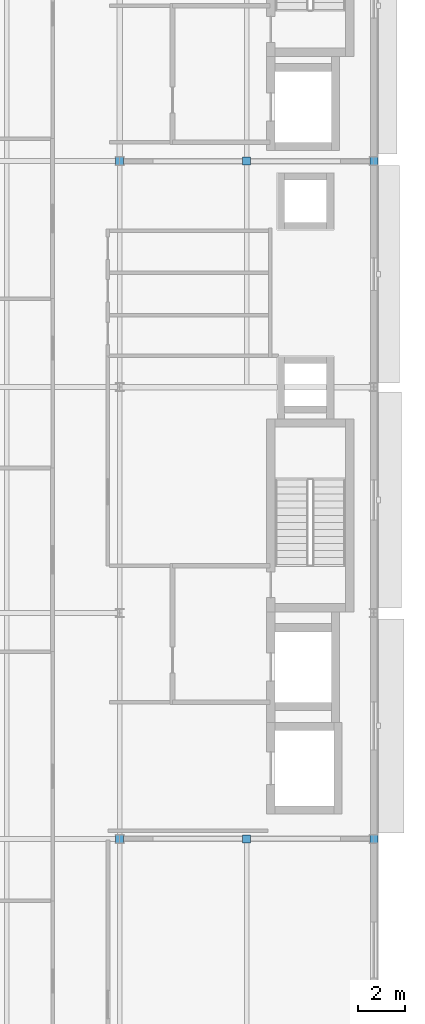
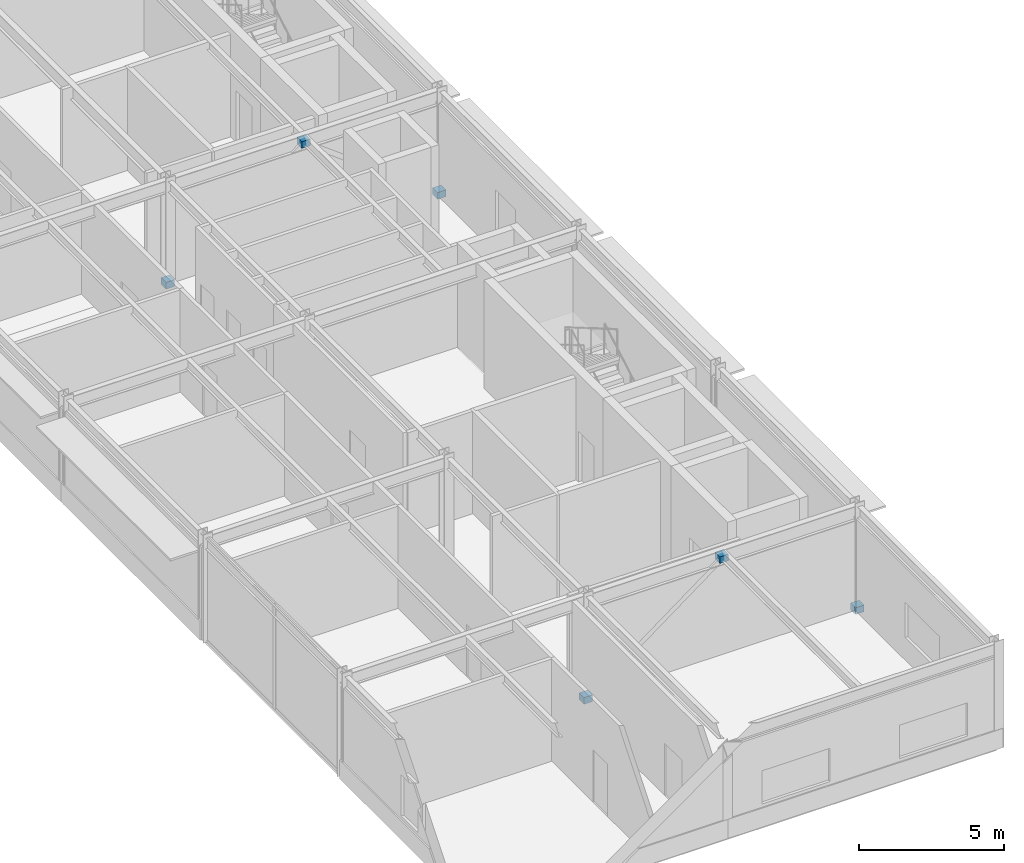
# One storey, part 29 of 50: 6 plates.
"""IFC4 building model written with IfcOpenShell, lengths in metres."""

from ifc_helpers import new_model, si_unit, direction, frame, origin, origin_2d, place, context, subcontext, project, spatial, rectangle, extrude, material, layer, layer_set, type_object, element, save


model = new_model("IFC4")

# Units and contexts
model_context = context("Model", 3, precision=1e-05, world=origin(), true_north=direction((0.0, 1.0)))
body_context = subcontext(model_context, "Body", "Model", "MODEL_VIEW")
ifc_project = project(units=[si_unit("LENGTHUNIT", "METRE"), si_unit("AREAUNIT", "SQUARE_METRE"), si_unit("VOLUMEUNIT", "CUBIC_METRE"), si_unit("PLANEANGLEUNIT", "RADIAN"), si_unit("MASSUNIT", "GRAM", prefix="KILO")], contexts=[model_context])

# Site, building, storey
site_placement = place(None, origin())
site = spatial("IfcSite", under=ifc_project, at=site_placement, CompositionType="ELEMENT")
building_placement = place(site_placement, origin())
building = spatial("IfcBuilding", under=site, at=building_placement, Name="Almandine Court Research Institute", CompositionType="ELEMENT")
storey_placement = place(building_placement, frame((0.0, 0.0, 23.449951171875)))
storey = spatial("IfcBuildingStorey", under=building, at=storey_placement, Name="L05", CompositionType="ELEMENT", Elevation=23.449951171875)

# Plates
ifc_material = material(Name="Steel ASTM A36", Category="steel")
ifc_layer = layer(ifc_material, 0.280029296875)
ifc_layer_set = layer_set([ifc_layer], Name="Steel ASTM A36")
plate_type = type_object("IfcPlateType", Name="Plate-NPI-03", PredefinedType="SHEET", material=ifc_layer_set)
for number, where, z_axis, x_axis, name in (
    (1, (163.199951171875, 15.60009765625, -0.1201171875), (0.0, 0.0, 1.0), (1.0, 0.0, 0.0), "L05 Seismic Brace Gusset Cap Plate V4-BF1-BL"),
    (2, (174.0, 15.60009765625, -0.1201171875), (0.0, 0.0, 1.0), (1.0, 0.0, 0.0), "L05 Seismic Brace Gusset Cap Plate V4-BF1-BR"),
    (3, (168.60009765625, 15.60009765625, 3.91015625), (0.0, 0.0, 1.0), (1.0, 0.0, 0.0), "L05 Seismic Brace Gusset Cap Plate V4-BF1-AP"),
    (4, (163.199951171875, 44.39990234375, -0.1201171875), (0.0, 0.0, 1.0), (1.0, 0.0, 0.0), "L05 Seismic Brace Gusset Cap Plate V4-BF2-BL"),
    (5, (174.0, 44.39990234375, -0.1201171875), (0.0, 0.0, 1.0), (1.0, 0.0, 0.0), "L05 Seismic Brace Gusset Cap Plate V4-BF2-BR"),
    (6, (168.60009765625, 44.39990234375, 3.91015625), (0.0, 0.0, 1.0), (1.0, 0.0, 0.0), "L05 Seismic Brace Gusset Cap Plate V4-BF2-AP"),
):
    element("IfcPlate", number, at=place(storey_placement, frame(where, z_axis=z_axis, x_axis=x_axis)), inside=storey, type_object=plate_type, Name=name, PredefinedType="SHEET", context=body_context, shape_type="SweptSolid", body=[
        extrude(rectangle(XDim=0.340087890625, YDim=0.340087890625, at=origin_2d()), origin(), (0.0, 0.0, 1.0), 0.280029296875),
    ])

save(model, "model.ifc")
